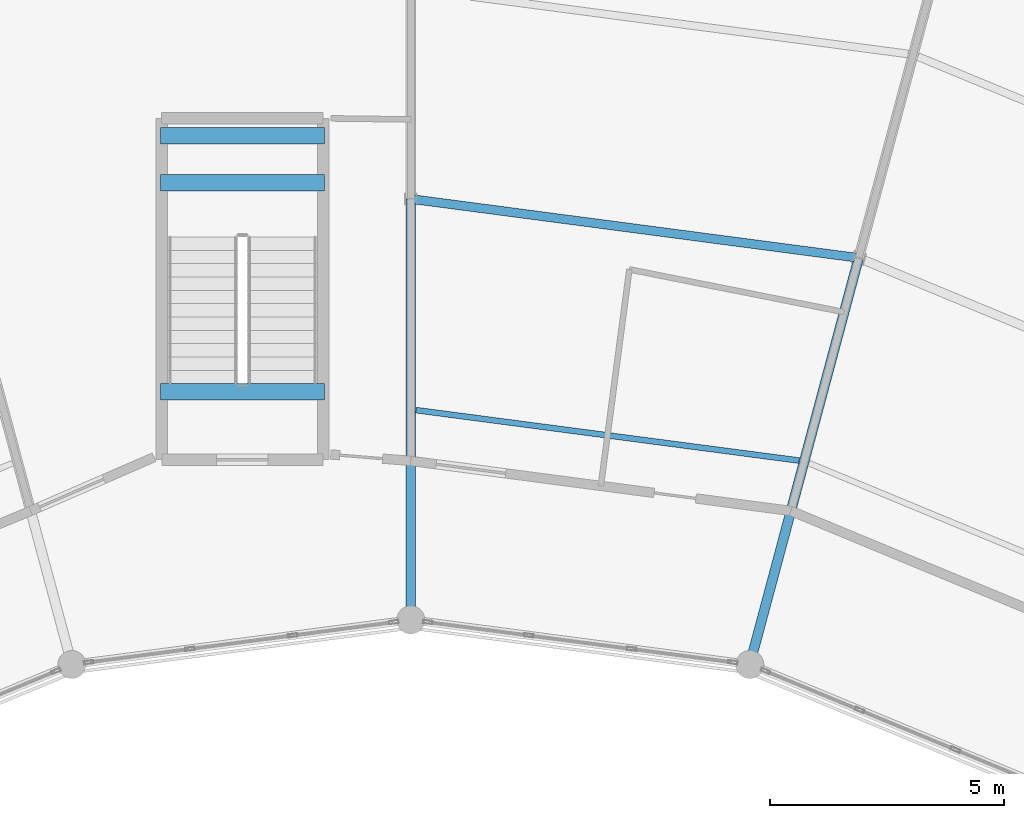
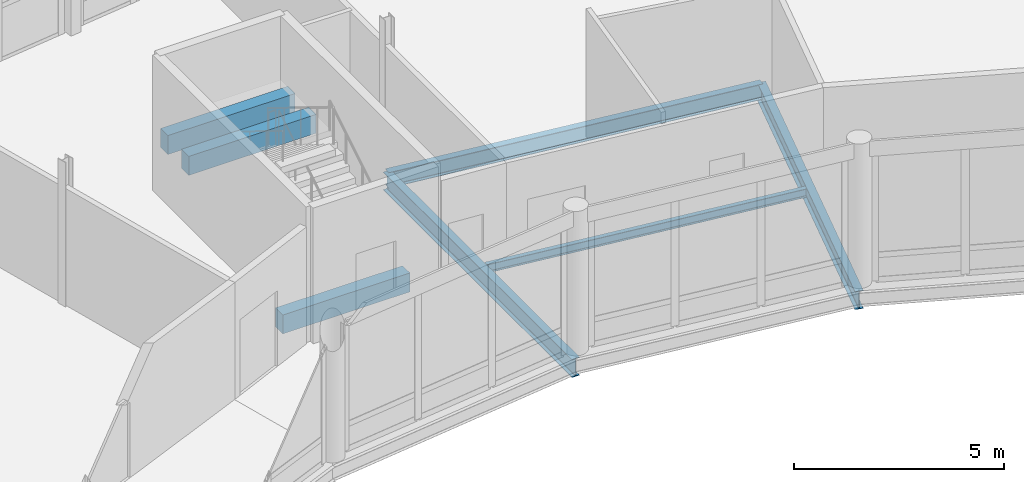
# One storey, part 90 of 185: 7 beams.
"""IFC4 building model written with IfcOpenShell, lengths in metres."""

from ifc_helpers import new_model, si_unit, direction, frame, origin, origin_2d, place, context, subcontext, project, spatial, rectangle, i_section, extrude, material, material_profile, profile_set, type_object, element, save


model = new_model("IFC4")

# Units and contexts
model_context = context("Model", 3, precision=1e-05, world=origin(), true_north=direction((0.0, 1.0)))
body_context = subcontext(model_context, "Body", "Model", "MODEL_VIEW")
ifc_project = project(units=[si_unit("LENGTHUNIT", "METRE"), si_unit("AREAUNIT", "SQUARE_METRE"), si_unit("VOLUMEUNIT", "CUBIC_METRE"), si_unit("PLANEANGLEUNIT", "RADIAN"), si_unit("MASSUNIT", "GRAM", prefix="KILO")], contexts=[model_context])

# Site, building, storey
site_placement = place(None, origin())
site = spatial("IfcSite", under=ifc_project, at=site_placement, CompositionType="ELEMENT")
building_placement = place(site_placement, origin())
building = spatial("IfcBuilding", under=site, at=building_placement, Name="Vondelvale Polytechnic", CompositionType="ELEMENT")
storey_placement = place(building_placement, frame((0.0, 0.0, 9.60009765625)))
storey = spatial("IfcBuildingStorey", under=building, at=storey_placement, Name="L02", CompositionType="ELEMENT", Elevation=9.60009765625)

# Beams
ifc_material_1 = material(Name="Concrete N40 (f'c = 40 MPa)", Category="concrete")
ifc_material_profile_1 = material_profile(ifc_material_1, rectangle(XDim=0.35009765625, YDim=0.550048828125, at=origin_2d()), Name="RC-BM-350x550")
ifc_profile_set_1 = profile_set([ifc_material_profile_1], Name="Concrete N40 (f'c = 40 MPa)")
beam_type_1 = type_object("IfcBeamType", Name="BM-RC350x550", PredefinedType="BEAM", material=ifc_profile_set_1)
for number, where, z_axis, x_axis, name in (
    (1, (100.14990234375, 109.35009765625, 1.625), (-1.0, 0.0, 0.0), (0.0, -1.0, 0.0), "L02 STLD B-06"),
    (2, (100.14990234375, 110.35009765625, 1.625), (-1.0, 0.0, 0.0), (0.0, -1.0, 0.0), "L02 STLD B-06"),
    (3, (100.14990234375, 104.875, -0.275146484375), (-1.0, 0.0, 0.0), (0.0, -1.0, 0.0), "L02 STHD B-06"),
):
    element("IfcBeam", number, at=place(storey_placement, frame(where, z_axis=z_axis, x_axis=x_axis)), inside=storey, type_object=beam_type_1, Name=name, PredefinedType="BEAM", context=body_context, shape_type="SweptSolid", body=[
        extrude(rectangle(XDim=0.35009765625, YDim=0.550048828125, at=origin_2d()), origin(), (0.0, 0.0, 1.0), 3.5),
    ])
ifc_material_2 = material(Name="Steel 300PLUS (fy = 300 MPa)", Category="steel")
ifc_material_profile_2 = material_profile(ifc_material_2, i_section(OverallWidth=0.18994140625, OverallDepth=0.4541015625, WebThickness=0.008544921875, FlangeThickness=0.0126953125, FilletRadius=0.011474609375, at=origin_2d()), Name="460UB67.1")
ifc_profile_set_2 = profile_set([ifc_material_profile_2], Name="Steel 300PLUS (fy = 300 MPa)")
beam_type_2 = type_object("IfcBeamType", Name="BM-UB460L", PredefinedType="BEAM", material=ifc_profile_set_2)
beam_1_placement = place(storey_placement, frame((111.576416015625, 107.7392578125, -0.507080078125), z_axis=(-0.991445087779, 0.130524472487, 0.0), x_axis=(-0.130524472487, -0.991445087779, 0.0)))
element("IfcBeam", 4, at=beam_1_placement, inside=storey, type_object=beam_type_2, Name="L02 RB B-22", PredefinedType="BEAM", context=body_context, shape_type="SweptSolid", body=[
    extrude(i_section(OverallWidth=0.18994140625, OverallDepth=0.4541015625, WebThickness=0.008544921875, FlangeThickness=0.0126953125, FilletRadius=0.011474609375, at=origin_2d()), origin(), (0.0, 0.0, 1.0), 9.658935546875),
])
ifc_material_profile_3 = material_profile(ifc_material_2, i_section(OverallWidth=0.208984375, OverallDepth=0.528076171875, WebThickness=0.009521484375, FlangeThickness=0.01318359375, FilletRadius=0.013916015625, at=origin_2d()), Name="530UB82.0")
ifc_profile_set_3 = profile_set([ifc_material_profile_3], Name="Steel 300PLUS (fy = 300 MPa)")
beam_type_3 = type_object("IfcBeamType", Name="BM-UB530L", PredefinedType="BEAM", material=ifc_profile_set_3)
for number, where, z_axis, x_axis, name in (
    (5, (109.246826171875, 99.0458984375, -0.544189453125), (0.258840941576, 0.965919958881, 0.0), (-0.965919958881, 0.258840941576, 0.0), "L02 RG B-21"),
    (6, (102.0, 100.0, -0.544189453125), (0.0, 1.0, 0.0), (-1.0, 0.0, 0.0), "L02 RG B-21"),
):
    element("IfcBeam", number, at=place(storey_placement, frame(where, z_axis=z_axis, x_axis=x_axis)), inside=storey, type_object=beam_type_3, Name=name, PredefinedType="BEAM", context=body_context, shape_type="SweptSolid", body=[
        extrude(i_section(OverallWidth=0.208984375, OverallDepth=0.528076171875, WebThickness=0.009521484375, FlangeThickness=0.01318359375, FilletRadius=0.013916015625, at=origin_2d()), origin(), (0.0, 0.0, 1.0), 9.0),
    ])
ifc_material_profile_4 = material_profile(ifc_material_2, i_section(OverallWidth=0.1240234375, OverallDepth=0.248046875, WebThickness=0.0048828125, FlangeThickness=0.008056640625, FilletRadius=0.0087890625, at=origin_2d()), Name="250UB25.7")
ifc_profile_set_4 = profile_set([ifc_material_profile_4], Name="Steel 300PLUS (fy = 300 MPa)")
beam_type_4 = type_object("IfcBeamType", Name="JST-UB250L", PredefinedType="JOIST", material=ifc_profile_set_4)
beam_2_placement = place(storey_placement, frame((110.302490234375, 103.406982421875, -0.404052734375), z_axis=(-0.991445847008, 0.130518705366, 0.0), x_axis=(-0.130518705366, -0.991445847008, 0.0)))
element("IfcBeam", 7, at=beam_2_placement, inside=storey, type_object=beam_type_4, Name="L02 RJ J-08", PredefinedType="JOIST", context=body_context, shape_type="SweptSolid", body=[
    extrude(i_section(OverallWidth=0.1240234375, OverallDepth=0.248046875, WebThickness=0.0048828125, FlangeThickness=0.008056640625, FilletRadius=0.0087890625, at=origin_2d()), origin(), (0.0, 0.0, 1.0), 8.26416015625),
])

save(model, "model.ifc")
